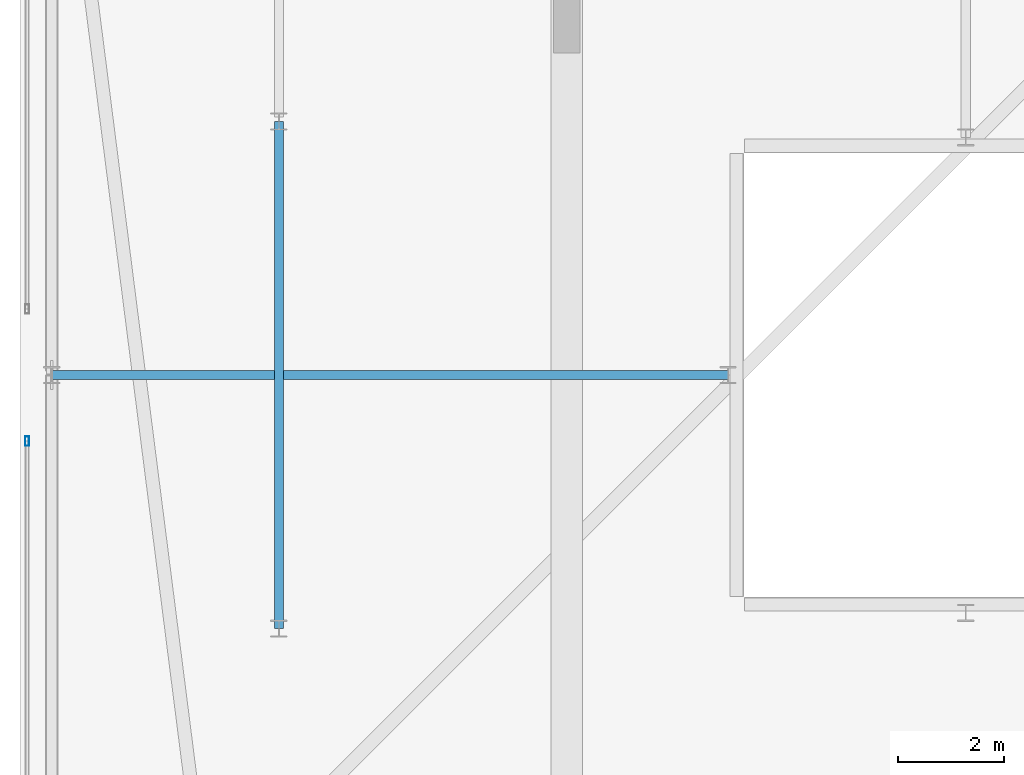
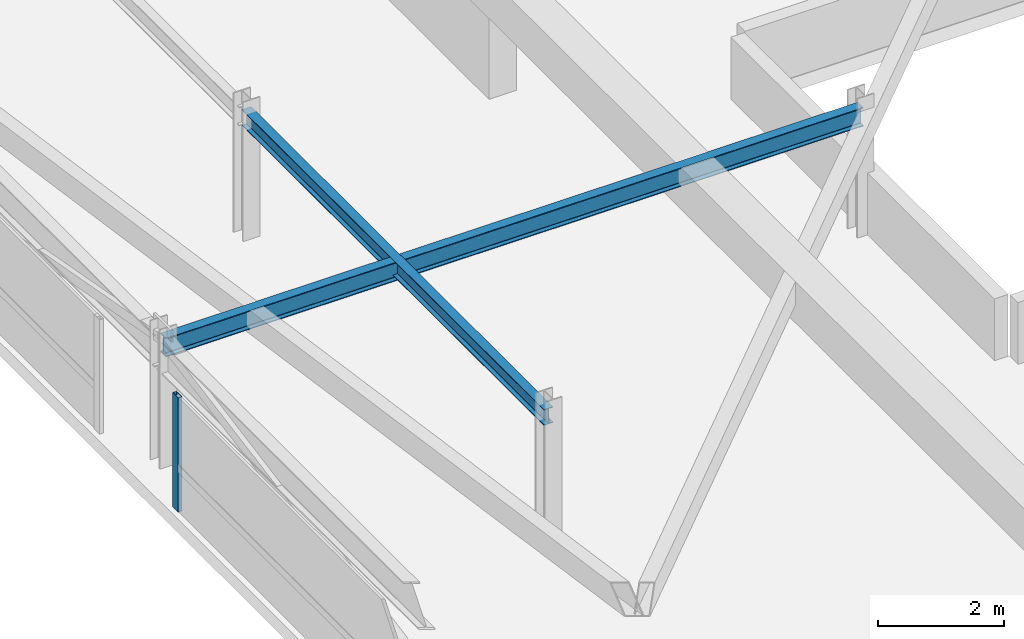
# One storey, part 14 of 44: 2 beams, 1 member, 1 element without a shape of its own.
"""IFC4 building model written with IfcOpenShell, lengths in metres."""

from ifc_helpers import new_model, si_unit, direction, frame, origin, origin_2d, place, context, subcontext, project, spatial, hollow_rectangle, i_section, extrude, material, material_profile, profile_set, type_object, element, aggregate, save


model = new_model("IFC4")

# Units and contexts
model_context = context("Model", 3, precision=1e-05, world=origin(), true_north=direction((0.0, 1.0)))
body_context = subcontext(model_context, "Body", "Model", "MODEL_VIEW")
ifc_project = project(units=[si_unit("LENGTHUNIT", "METRE"), si_unit("AREAUNIT", "SQUARE_METRE"), si_unit("VOLUMEUNIT", "CUBIC_METRE"), si_unit("PLANEANGLEUNIT", "RADIAN"), si_unit("MASSUNIT", "GRAM", prefix="KILO")], contexts=[model_context])

# Site, building, storey
site_placement = place(None, origin())
site = spatial("IfcSite", under=ifc_project, at=site_placement, CompositionType="ELEMENT")
building_placement = place(site_placement, origin())
building = spatial("IfcBuilding", under=site, at=building_placement, Name="Thornwick Lancets Civic Towers", CompositionType="ELEMENT")
storey_placement = place(building_placement, frame((0.0, 0.0, 292.199951171875)))
storey = spatial("IfcBuildingStorey", under=building, at=storey_placement, Name="C05", CompositionType="ELEMENT", Elevation=292.199951171875)

# Beams
ifc_material_1 = material(Name="Steel S355JR", Category="steel")
ifc_material_profile_1 = material_profile(ifc_material_1, i_section(OverallWidth=0.173095703125, OverallDepth=0.36328125, WebThickness=0.009033203125, FlangeThickness=0.015625, FilletRadius=0.01025390625, at=origin_2d()), Name="UKB 356x171x67")
ifc_profile_set_1 = profile_set([ifc_material_profile_1], Name="Steel S355JR")
beam_type_1 = type_object("IfcBeamType", Name="BM_JOIST_356_67", PredefinedType="JOIST", material=ifc_profile_set_1)
beam_1_placement = place(storey_placement, frame((21.0, 27.0, 2.25830078125), z_axis=(-1.0, 0.0, 0.0), x_axis=(0.0, -1.0, 0.0)))
element("IfcBeam", 1, at=beam_1_placement, inside=storey, type_object=beam_type_1, Name="BM-RADIN-C05-A11", PredefinedType="JOIST", context=body_context, shape_type="SweptSolid", body=[
    extrude(i_section(OverallWidth=0.173095703125, OverallDepth=0.36328125, WebThickness=0.009033203125, FlangeThickness=0.015625, FilletRadius=0.01025390625, at=origin_2d()), origin(), (0.0, 0.0, 1.0), 12.800048828125),
])
ifc_material_profile_2 = material_profile(ifc_material_1, i_section(OverallWidth=0.1669921875, OverallDepth=0.310302734375, WebThickness=0.0078125, FlangeThickness=0.013671875, FilletRadius=0.0087890625, at=origin_2d()), Name="UKB 305x165x54")
ifc_profile_set_2 = profile_set([ifc_material_profile_2], Name="Steel S355JR")
beam_type_2 = type_object("IfcBeamType", Name="BM_LINTEL_305_54", PredefinedType="LINTEL", material=ifc_profile_set_2)
beam_2_placement = place(storey_placement, frame((12.5, 22.199951171875, 2.284912109375), z_axis=(0.0, 1.0, 0.0), x_axis=(-1.0, 0.0, 0.0)))
element("IfcBeam", 2, at=beam_2_placement, inside=storey, type_object=beam_type_2, Name="BM-INSP-C05-A-0-2", PredefinedType="LINTEL", context=body_context, shape_type="SweptSolid", body=[
    extrude(i_section(OverallWidth=0.1669921875, OverallDepth=0.310302734375, WebThickness=0.0078125, FlangeThickness=0.013671875, FilletRadius=0.0087890625, at=origin_2d()), origin(), (0.0, 0.0, 1.0), 9.60009765625),
])

# Curtain wall, member
ifc_material_2 = material(Name="Crown ring acoustic-louvre and glazing screen wall", Category="glass")
curtain_wall_type = type_object("IfcCurtainWallType", Name="CW_SYS_07", PredefinedType="NOTDEFINED", material=ifc_material_2)
curtain_wall_placement = place(storey_placement, origin())
curtain_wall = element("IfcCurtainWall", 3, at=curtain_wall_placement, inside=storey, type_object=curtain_wall_type, Name="C05 Curtain Wall CW-C05-A-E6-S2", PredefinedType="NOTDEFINED")
ifc_material_3 = material(Name="Thermally broken bronze aluminium S355", Category="steel")
ifc_material_profile_3 = material_profile(ifc_material_3, hollow_rectangle(XDim=0.074951171875, YDim=0.179931640625, WallThickness=0.006103515625, at=origin_2d()), Name="RHS 180x75x6")
ifc_profile_set_3 = profile_set([ifc_material_profile_3], Name="Thermally broken bronze aluminium S355")
member_type = type_object("IfcMemberType", Name="CW_MUL_180", PredefinedType="MULLION", material=ifc_profile_set_3)
member_placement = place(storey_placement, frame((7.7353515625, 25.75, 0.0), z_axis=(0.0, 0.0, 1.0), x_axis=(1.0, 0.0, 0.0)))
member = element("IfcMember", 4, at=member_placement, type_object=member_type, Name="CW-C05-A-E6-S2 Mullion 0", PredefinedType="MULLION", context=body_context, shape_type="SweptSolid", body=[
    extrude(hollow_rectangle(XDim=0.074951171875, YDim=0.179931640625, WallThickness=0.006103515625, at=origin_2d()), origin(), (0.0, 0.0, 1.0), 2.219970703125),
])
aggregate(curtain_wall, [member])

save(model, "model.ifc")
